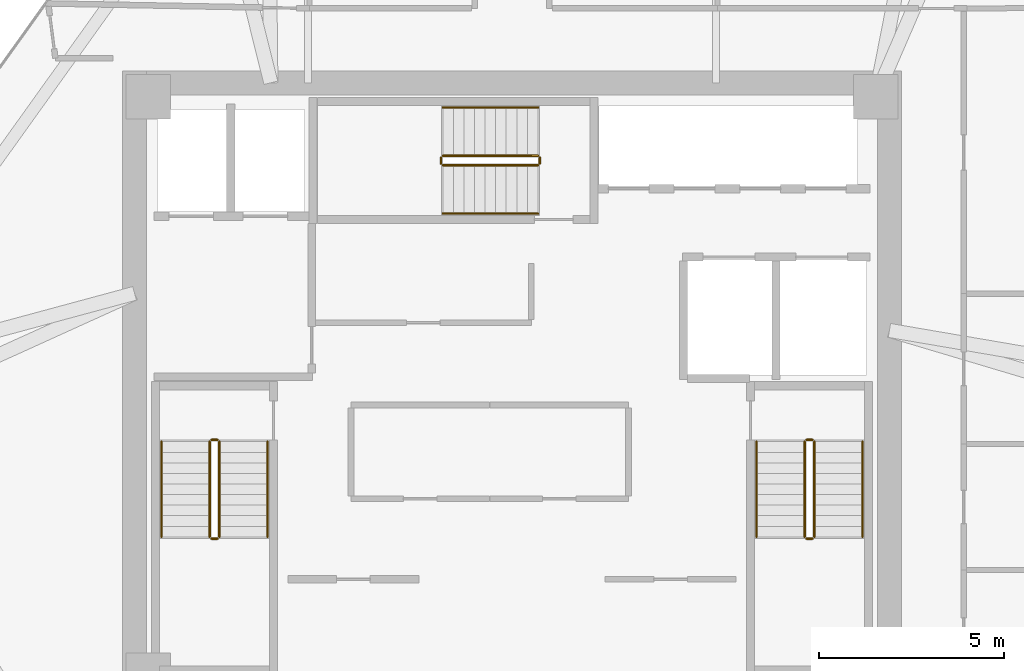
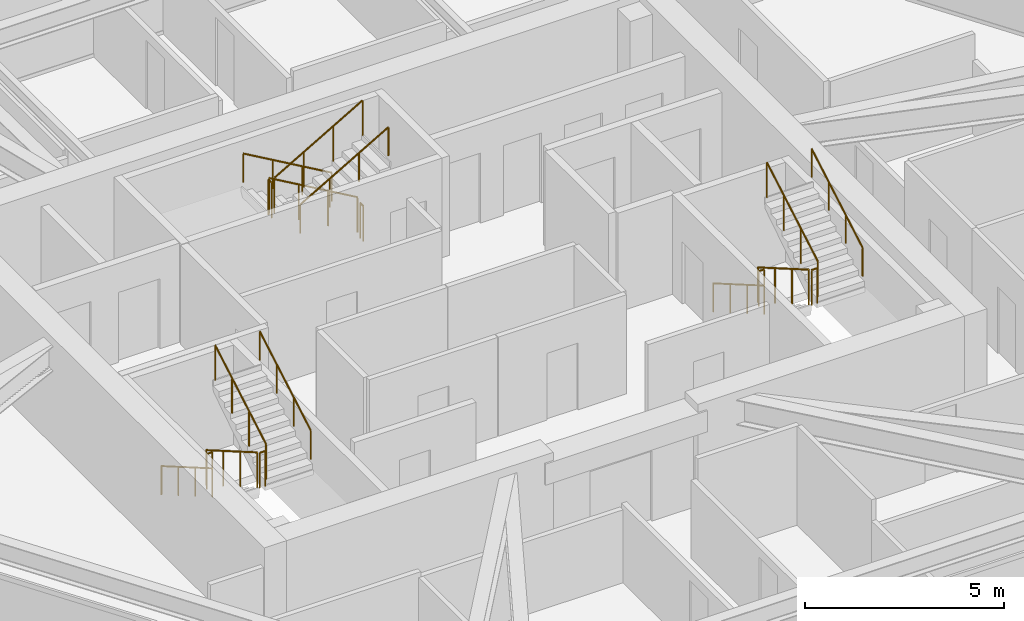
# One storey, part 11 of 11: 18 railings.
"""IFC4 building model written with IfcOpenShell, lengths in metres."""

from ifc_helpers import new_model, si_unit, direction, frame, origin, origin_2d, place, context, subcontext, project, spatial, circle, extrude, material, type_object, element, save


model = new_model("IFC4")

# Units and contexts
model_context = context("Model", 3, precision=1e-05, world=origin(), true_north=direction((0.0, 1.0)))
body_context = subcontext(model_context, "Body", "Model", "MODEL_VIEW")
ifc_project = project(units=[si_unit("LENGTHUNIT", "METRE"), si_unit("AREAUNIT", "SQUARE_METRE"), si_unit("VOLUMEUNIT", "CUBIC_METRE"), si_unit("PLANEANGLEUNIT", "RADIAN"), si_unit("MASSUNIT", "GRAM", prefix="KILO")], contexts=[model_context])

# Site, building, storey
site_placement = place(None, origin())
site = spatial("IfcSite", under=ifc_project, at=site_placement, CompositionType="ELEMENT")
building_placement = place(site_placement, origin())
building = spatial("IfcBuilding", under=site, at=building_placement, Name="Durnholm Broadcast Tower", CompositionType="ELEMENT")
storey_placement = place(building_placement, frame((0.0, 0.0, 183.699951171875)))
storey = spatial("IfcBuildingStorey", under=building, at=storey_placement, Name="L50", CompositionType="ELEMENT", Elevation=183.699951171875)

# Railings
ifc_material_1 = material(Name="Painted Tubular Steel Stair Guardrail", Category="steel")
railing_type_1 = type_object("IfcRailingType", Name="RAIL-ST-GRD", PredefinedType="GUARDRAIL", material=ifc_material_1)
railing_1_placement = place(storey_placement, frame((-8.14990234375, -1.5, 0.1650390625)))
element("IfcRailing", 1, at=railing_1_placement, inside=storey, type_object=railing_type_1, Name="L50 ST-1 stair guard 1", PredefinedType="GUARDRAIL", context=body_context, shape_type="SweptSolid", body=[
    extrude(circle(Radius=0.02392578125, at=origin_2d()), frame((0.0, 0.0, 1.076171875), z_axis=(0.0, -0.865405606168, 0.501071987656), x_axis=(1.0, 0.0, 0.0)), (0.0, 0.0, 1.0), 2.9638671875),
    extrude(circle(Radius=0.02099609375, at=origin_2d()), origin(), (0.0, 0.0, 1.0), 1.052001953125),
    extrude(circle(Radius=0.02099609375, at=origin_2d()), frame((0.0, -0.85498046875, 0.4951171875)), (0.0, 0.0, 1.0), 1.052001953125),
    extrude(circle(Radius=0.02099609375, at=origin_2d()), frame((0.0, -1.7099609375, 0.989990234375)), (0.0, 0.0, 1.0), 1.052001953125),
    extrude(circle(Radius=0.02099609375, at=origin_2d()), frame((0.0, -2.56494140625, 1.485107421875)), (0.0, 0.0, 1.0), 1.052001953125),
])
railing_2_placement = place(storey_placement, frame((-8.10009765625, -4.114990234375, 1.650146484375)))
element("IfcRailing", 2, at=railing_2_placement, inside=storey, type_object=railing_type_1, Name="L50 ST-1 stair guard 2", PredefinedType="GUARDRAIL", context=body_context, shape_type="SweptSolid", body=[
    extrude(circle(Radius=0.02392578125, at=origin_2d()), frame((0.0, 0.0, 1.076171875), z_axis=(1.0, 0.0, 0.0), x_axis=(0.0, 1.0, 0.0)), (0.0, 0.0, 1.0), 0.16015625),
    extrude(circle(Radius=0.02099609375, at=origin_2d()), origin(), (0.0, 0.0, 1.0), 1.052001953125),
    extrude(circle(Radius=0.02099609375, at=origin_2d()), frame((0.16015625, 0.0, 0.0)), (0.0, 0.0, 1.0), 1.052001953125),
])
railing_3_placement = place(storey_placement, frame((-7.889892578125, -4.06494140625, 1.81494140625)))
element("IfcRailing", 3, at=railing_3_placement, inside=storey, type_object=railing_type_1, Name="L50 ST-1 stair guard 3", PredefinedType="GUARDRAIL", context=body_context, shape_type="SweptSolid", body=[
    extrude(circle(Radius=0.02392578125, at=origin_2d()), frame((0.0, 0.0, 1.076171875), z_axis=(0.0, 0.865405606168, 0.501071987656), x_axis=(-1.0, 0.0, 0.0)), (0.0, 0.0, 1.0), 2.9638671875),
    extrude(circle(Radius=0.02099609375, at=origin_2d()), origin(), (0.0, 0.0, 1.0), 1.052001953125),
    extrude(circle(Radius=0.02099609375, at=origin_2d()), frame((0.0, 0.85498046875, 0.4951171875)), (0.0, 0.0, 1.0), 1.052001953125),
    extrude(circle(Radius=0.02099609375, at=origin_2d()), frame((0.0, 1.7099609375, 0.989990234375)), (0.0, 0.0, 1.0), 1.052001953125),
    extrude(circle(Radius=0.02099609375, at=origin_2d()), frame((0.0, 2.56494140625, 1.485107421875)), (0.0, 0.0, 1.0), 1.052001953125),
])
railing_4_placement = place(storey_placement, frame((-8.10009765625, -1.449951171875, 0.0)))
element("IfcRailing", 4, at=railing_4_placement, inside=storey, type_object=railing_type_1, Name="L50 ST-1 stair guard 4", PredefinedType="GUARDRAIL", context=body_context, shape_type="SweptSolid", body=[
    extrude(circle(Radius=0.02392578125, at=origin_2d()), frame((0.0, 0.0, 1.076171875), z_axis=(1.0, 0.0, 0.0), x_axis=(0.0, 1.0, 0.0)), (0.0, 0.0, 1.0), 0.16015625),
    extrude(circle(Radius=0.02099609375, at=origin_2d()), origin(), (0.0, 0.0, 1.0), 1.052001953125),
    extrude(circle(Radius=0.02099609375, at=origin_2d()), frame((0.16015625, 0.0, 0.0)), (0.0, 0.0, 1.0), 1.052001953125),
])
railing_5_placement = place(storey_placement, frame((7.889892578125, -1.5, 0.1650390625)))
element("IfcRailing", 5, at=railing_5_placement, inside=storey, type_object=railing_type_1, Name="L50 ST-2 stair guard 1", PredefinedType="GUARDRAIL", context=body_context, shape_type="SweptSolid", body=[
    extrude(circle(Radius=0.02392578125, at=origin_2d()), frame((0.0, 0.0, 1.076171875), z_axis=(0.0, -0.865405606168, 0.501071987656), x_axis=(1.0, 0.0, 0.0)), (0.0, 0.0, 1.0), 2.9638671875),
    extrude(circle(Radius=0.02099609375, at=origin_2d()), origin(), (0.0, 0.0, 1.0), 1.052001953125),
    extrude(circle(Radius=0.02099609375, at=origin_2d()), frame((0.0, -0.85498046875, 0.4951171875)), (0.0, 0.0, 1.0), 1.052001953125),
    extrude(circle(Radius=0.02099609375, at=origin_2d()), frame((0.0, -1.7099609375, 0.989990234375)), (0.0, 0.0, 1.0), 1.052001953125),
    extrude(circle(Radius=0.02099609375, at=origin_2d()), frame((0.0, -2.56494140625, 1.485107421875)), (0.0, 0.0, 1.0), 1.052001953125),
])
railing_6_placement = place(storey_placement, frame((7.93994140625, -4.114990234375, 1.650146484375)))
element("IfcRailing", 6, at=railing_6_placement, inside=storey, type_object=railing_type_1, Name="L50 ST-2 stair guard 2", PredefinedType="GUARDRAIL", context=body_context, shape_type="SweptSolid", body=[
    extrude(circle(Radius=0.02392578125, at=origin_2d()), frame((0.0, 0.0, 1.076171875), z_axis=(1.0, 0.0, 0.0), x_axis=(0.0, 1.0, 0.0)), (0.0, 0.0, 1.0), 0.16015625),
    extrude(circle(Radius=0.02099609375, at=origin_2d()), origin(), (0.0, 0.0, 1.0), 1.052001953125),
    extrude(circle(Radius=0.02099609375, at=origin_2d()), frame((0.16015625, 0.0, 0.0)), (0.0, 0.0, 1.0), 1.052001953125),
])
railing_7_placement = place(storey_placement, frame((8.14990234375, -4.06494140625, 1.81494140625)))
element("IfcRailing", 7, at=railing_7_placement, inside=storey, type_object=railing_type_1, Name="L50 ST-2 stair guard 3", PredefinedType="GUARDRAIL", context=body_context, shape_type="SweptSolid", body=[
    extrude(circle(Radius=0.02392578125, at=origin_2d()), frame((0.0, 0.0, 1.076171875), z_axis=(0.0, 0.865405606168, 0.501071987656), x_axis=(-1.0, 0.0, 0.0)), (0.0, 0.0, 1.0), 2.9638671875),
    extrude(circle(Radius=0.02099609375, at=origin_2d()), origin(), (0.0, 0.0, 1.0), 1.052001953125),
    extrude(circle(Radius=0.02099609375, at=origin_2d()), frame((0.0, 0.85498046875, 0.4951171875)), (0.0, 0.0, 1.0), 1.052001953125),
    extrude(circle(Radius=0.02099609375, at=origin_2d()), frame((0.0, 1.7099609375, 0.989990234375)), (0.0, 0.0, 1.0), 1.052001953125),
    extrude(circle(Radius=0.02099609375, at=origin_2d()), frame((0.0, 2.56494140625, 1.485107421875)), (0.0, 0.0, 1.0), 1.052001953125),
])
railing_8_placement = place(storey_placement, frame((7.93994140625, -1.449951171875, 0.0)))
element("IfcRailing", 8, at=railing_8_placement, inside=storey, type_object=railing_type_1, Name="L50 ST-2 stair guard 4", PredefinedType="GUARDRAIL", context=body_context, shape_type="SweptSolid", body=[
    extrude(circle(Radius=0.02392578125, at=origin_2d()), frame((0.0, 0.0, 1.076171875), z_axis=(1.0, 0.0, 0.0), x_axis=(0.0, 1.0, 0.0)), (0.0, 0.0, 1.0), 0.16015625),
    extrude(circle(Radius=0.02099609375, at=origin_2d()), origin(), (0.0, 0.0, 1.0), 1.052001953125),
    extrude(circle(Radius=0.02099609375, at=origin_2d()), frame((0.16015625, 0.0, 0.0)), (0.0, 0.0, 1.0), 1.052001953125),
])
railing_9_placement = place(storey_placement, frame((0.699951171875, 6.2099609375, 0.1650390625)))
element("IfcRailing", 9, at=railing_9_placement, inside=storey, type_object=railing_type_1, Name="L50 ST-3 stair guard 1", PredefinedType="GUARDRAIL", context=body_context, shape_type="SweptSolid", body=[
    extrude(circle(Radius=0.02392578125, at=origin_2d()), frame((0.0, 0.0, 1.076171875), z_axis=(-0.865405606168, 0.0, 0.501071987656), x_axis=(0.0, -1.0, 0.0)), (0.0, 0.0, 1.0), 2.9638671875),
    extrude(circle(Radius=0.02099609375, at=origin_2d()), origin(), (0.0, 0.0, 1.0), 1.052001953125),
    extrude(circle(Radius=0.02099609375, at=origin_2d()), frame((-0.85498046875, 0.0, 0.4951171875)), (0.0, 0.0, 1.0), 1.052001953125),
    extrude(circle(Radius=0.02099609375, at=origin_2d()), frame((-1.7099609375, 0.0, 0.989990234375)), (0.0, 0.0, 1.0), 1.052001953125),
    extrude(circle(Radius=0.02099609375, at=origin_2d()), frame((-2.56494140625, 0.0, 1.485107421875)), (0.0, 0.0, 1.0), 1.052001953125),
])
railing_10_placement = place(storey_placement, frame((-1.9150390625, 6.159912109375, 1.650146484375)))
element("IfcRailing", 10, at=railing_10_placement, inside=storey, type_object=railing_type_1, Name="L50 ST-3 stair guard 2", PredefinedType="GUARDRAIL", context=body_context, shape_type="SweptSolid", body=[
    extrude(circle(Radius=0.02392578125, at=origin_2d()), frame((0.0, 0.0, 1.076171875), z_axis=(0.0, -1.0, 0.0), x_axis=(1.0, 0.0, 0.0)), (0.0, 0.0, 1.0), 0.159912109375),
    extrude(circle(Radius=0.02099609375, at=origin_2d()), origin(), (0.0, 0.0, 1.0), 1.052001953125),
    extrude(circle(Radius=0.02099609375, at=origin_2d()), frame((0.0, -0.159912109375, 0.0)), (0.0, 0.0, 1.0), 1.052001953125),
])
railing_11_placement = place(storey_placement, frame((-1.864990234375, 5.949951171875, 1.81494140625)))
element("IfcRailing", 11, at=railing_11_placement, inside=storey, type_object=railing_type_1, Name="L50 ST-3 stair guard 3", PredefinedType="GUARDRAIL", context=body_context, shape_type="SweptSolid", body=[
    extrude(circle(Radius=0.02392578125, at=origin_2d()), frame((0.0, 0.0, 1.076171875), z_axis=(0.865405606168, 0.0, 0.501071987656), x_axis=(0.0, 1.0, 0.0)), (0.0, 0.0, 1.0), 2.9638671875),
    extrude(circle(Radius=0.02099609375, at=origin_2d()), origin(), (0.0, 0.0, 1.0), 1.052001953125),
    extrude(circle(Radius=0.02099609375, at=origin_2d()), frame((0.85498046875, 0.0, 0.4951171875)), (0.0, 0.0, 1.0), 1.052001953125),
    extrude(circle(Radius=0.02099609375, at=origin_2d()), frame((1.7099609375, 0.0, 0.989990234375)), (0.0, 0.0, 1.0), 1.052001953125),
    extrude(circle(Radius=0.02099609375, at=origin_2d()), frame((2.56494140625, 0.0, 1.485107421875)), (0.0, 0.0, 1.0), 1.052001953125),
])
railing_12_placement = place(storey_placement, frame((0.75, 6.159912109375, 0.0)))
element("IfcRailing", 12, at=railing_12_placement, inside=storey, type_object=railing_type_1, Name="L50 ST-3 stair guard 4", PredefinedType="GUARDRAIL", context=body_context, shape_type="SweptSolid", body=[
    extrude(circle(Radius=0.02392578125, at=origin_2d()), frame((0.0, 0.0, 1.076171875), z_axis=(0.0, -1.0, 0.0), x_axis=(1.0, 0.0, 0.0)), (0.0, 0.0, 1.0), 0.159912109375),
    extrude(circle(Radius=0.02099609375, at=origin_2d()), origin(), (0.0, 0.0, 1.0), 1.052001953125),
    extrude(circle(Radius=0.02099609375, at=origin_2d()), frame((0.0, -0.159912109375, 0.0)), (0.0, 0.0, 1.0), 1.052001953125),
])
ifc_material_2 = material(Name="Brushed Stainless Steel Handrail", Category="steel")
railing_type_2 = type_object("IfcRailingType", Name="RAIL-ST-HND", PredefinedType="HANDRAIL", material=ifc_material_2)
railing_13_placement = place(storey_placement, frame((-9.449951171875, -1.5, 0.330078125)))
element("IfcRailing", 13, at=railing_13_placement, inside=storey, type_object=railing_type_2, Name="L50 ST-1 stair handrail 1", PredefinedType="HANDRAIL", context=body_context, shape_type="SweptSolid", body=[
    extrude(circle(Radius=0.02392578125, at=origin_2d()), frame((0.0, 0.0, 0.8759765625), z_axis=(0.0, -0.865441324677, 0.50101029285), x_axis=(1.0, 0.0, 0.0)), (0.0, 0.0, 1.0), 2.963623046875),
    extrude(circle(Radius=0.02099609375, at=origin_2d()), origin(), (0.0, 0.0, 1.0), 0.851806640625),
    extrude(circle(Radius=0.02099609375, at=origin_2d()), frame((0.0, -0.85498046875, 0.494873046875)), (0.0, 0.0, 1.0), 0.851806640625),
    extrude(circle(Radius=0.02099609375, at=origin_2d()), frame((0.0, -1.7099609375, 0.989990234375)), (0.0, 0.0, 1.0), 0.851806640625),
    extrude(circle(Radius=0.02099609375, at=origin_2d()), frame((0.0, -2.56494140625, 1.48486328125)), (0.0, 0.0, 1.0), 0.851806640625),
])
railing_14_placement = place(storey_placement, frame((-6.590087890625, -4.06494140625, 1.97998046875)))
element("IfcRailing", 14, at=railing_14_placement, inside=storey, type_object=railing_type_2, Name="L50 ST-1 stair handrail 2", PredefinedType="HANDRAIL", context=body_context, shape_type="SweptSolid", body=[
    extrude(circle(Radius=0.02392578125, at=origin_2d()), frame((0.0, 0.0, 0.8759765625), z_axis=(0.0, 0.865405606168, 0.501071987656), x_axis=(-1.0, 0.0, 0.0)), (0.0, 0.0, 1.0), 2.9638671875),
    extrude(circle(Radius=0.02099609375, at=origin_2d()), origin(), (0.0, 0.0, 1.0), 0.851806640625),
    extrude(circle(Radius=0.02099609375, at=origin_2d()), frame((0.0, 0.85498046875, 0.4951171875)), (0.0, 0.0, 1.0), 0.851806640625),
    extrude(circle(Radius=0.02099609375, at=origin_2d()), frame((0.0, 1.7099609375, 0.989990234375)), (0.0, 0.0, 1.0), 0.851806640625),
    extrude(circle(Radius=0.02099609375, at=origin_2d()), frame((0.0, 2.56494140625, 1.485107421875)), (0.0, 0.0, 1.0), 0.851806640625),
])
railing_15_placement = place(storey_placement, frame((6.590087890625, -1.5, 0.330078125)))
element("IfcRailing", 15, at=railing_15_placement, inside=storey, type_object=railing_type_2, Name="L50 ST-2 stair handrail 1", PredefinedType="HANDRAIL", context=body_context, shape_type="SweptSolid", body=[
    extrude(circle(Radius=0.02392578125, at=origin_2d()), frame((0.0, 0.0, 0.8759765625), z_axis=(0.0, -0.865441324677, 0.50101029285), x_axis=(1.0, 0.0, 0.0)), (0.0, 0.0, 1.0), 2.963623046875),
    extrude(circle(Radius=0.02099609375, at=origin_2d()), origin(), (0.0, 0.0, 1.0), 0.851806640625),
    extrude(circle(Radius=0.02099609375, at=origin_2d()), frame((0.0, -0.85498046875, 0.494873046875)), (0.0, 0.0, 1.0), 0.851806640625),
    extrude(circle(Radius=0.02099609375, at=origin_2d()), frame((0.0, -1.7099609375, 0.989990234375)), (0.0, 0.0, 1.0), 0.851806640625),
    extrude(circle(Radius=0.02099609375, at=origin_2d()), frame((0.0, -2.56494140625, 1.48486328125)), (0.0, 0.0, 1.0), 0.851806640625),
])
railing_16_placement = place(storey_placement, frame((9.449951171875, -4.06494140625, 1.97998046875)))
element("IfcRailing", 16, at=railing_16_placement, inside=storey, type_object=railing_type_2, Name="L50 ST-2 stair handrail 2", PredefinedType="HANDRAIL", context=body_context, shape_type="SweptSolid", body=[
    extrude(circle(Radius=0.02392578125, at=origin_2d()), frame((0.0, 0.0, 0.8759765625), z_axis=(0.0, 0.865405606168, 0.501071987656), x_axis=(-1.0, 0.0, 0.0)), (0.0, 0.0, 1.0), 2.9638671875),
    extrude(circle(Radius=0.02099609375, at=origin_2d()), origin(), (0.0, 0.0, 1.0), 0.851806640625),
    extrude(circle(Radius=0.02099609375, at=origin_2d()), frame((0.0, 0.85498046875, 0.4951171875)), (0.0, 0.0, 1.0), 0.851806640625),
    extrude(circle(Radius=0.02099609375, at=origin_2d()), frame((0.0, 1.7099609375, 0.989990234375)), (0.0, 0.0, 1.0), 0.851806640625),
    extrude(circle(Radius=0.02099609375, at=origin_2d()), frame((0.0, 2.56494140625, 1.485107421875)), (0.0, 0.0, 1.0), 0.851806640625),
])
railing_17_placement = place(storey_placement, frame((0.699951171875, 7.510009765625, 0.330078125)))
element("IfcRailing", 17, at=railing_17_placement, inside=storey, type_object=railing_type_2, Name="L50 ST-3 stair handrail 1", PredefinedType="HANDRAIL", context=body_context, shape_type="SweptSolid", body=[
    extrude(circle(Radius=0.02392578125, at=origin_2d()), frame((0.0, 0.0, 0.8759765625), z_axis=(-0.865441324677, 0.0, 0.50101029285), x_axis=(0.0, -1.0, 0.0)), (0.0, 0.0, 1.0), 2.963623046875),
    extrude(circle(Radius=0.02099609375, at=origin_2d()), origin(), (0.0, 0.0, 1.0), 0.851806640625),
    extrude(circle(Radius=0.02099609375, at=origin_2d()), frame((-0.85498046875, 0.0, 0.494873046875)), (0.0, 0.0, 1.0), 0.851806640625),
    extrude(circle(Radius=0.02099609375, at=origin_2d()), frame((-1.7099609375, 0.0, 0.989990234375)), (0.0, 0.0, 1.0), 0.851806640625),
    extrude(circle(Radius=0.02099609375, at=origin_2d()), frame((-2.56494140625, 0.0, 1.48486328125)), (0.0, 0.0, 1.0), 0.851806640625),
])
railing_18_placement = place(storey_placement, frame((-1.864990234375, 4.64990234375, 1.97998046875)))
element("IfcRailing", 18, at=railing_18_placement, inside=storey, type_object=railing_type_2, Name="L50 ST-3 stair handrail 2", PredefinedType="HANDRAIL", context=body_context, shape_type="SweptSolid", body=[
    extrude(circle(Radius=0.02392578125, at=origin_2d()), frame((0.0, 0.0, 0.8759765625), z_axis=(0.865405606168, 0.0, 0.501071987656), x_axis=(0.0, 1.0, 0.0)), (0.0, 0.0, 1.0), 2.9638671875),
    extrude(circle(Radius=0.02099609375, at=origin_2d()), origin(), (0.0, 0.0, 1.0), 0.851806640625),
    extrude(circle(Radius=0.02099609375, at=origin_2d()), frame((0.85498046875, 0.0, 0.4951171875)), (0.0, 0.0, 1.0), 0.851806640625),
    extrude(circle(Radius=0.02099609375, at=origin_2d()), frame((1.7099609375, 0.0, 0.989990234375)), (0.0, 0.0, 1.0), 0.851806640625),
    extrude(circle(Radius=0.02099609375, at=origin_2d()), frame((2.56494140625, 0.0, 1.485107421875)), (0.0, 0.0, 1.0), 0.851806640625),
])

save(model, "model.ifc")
